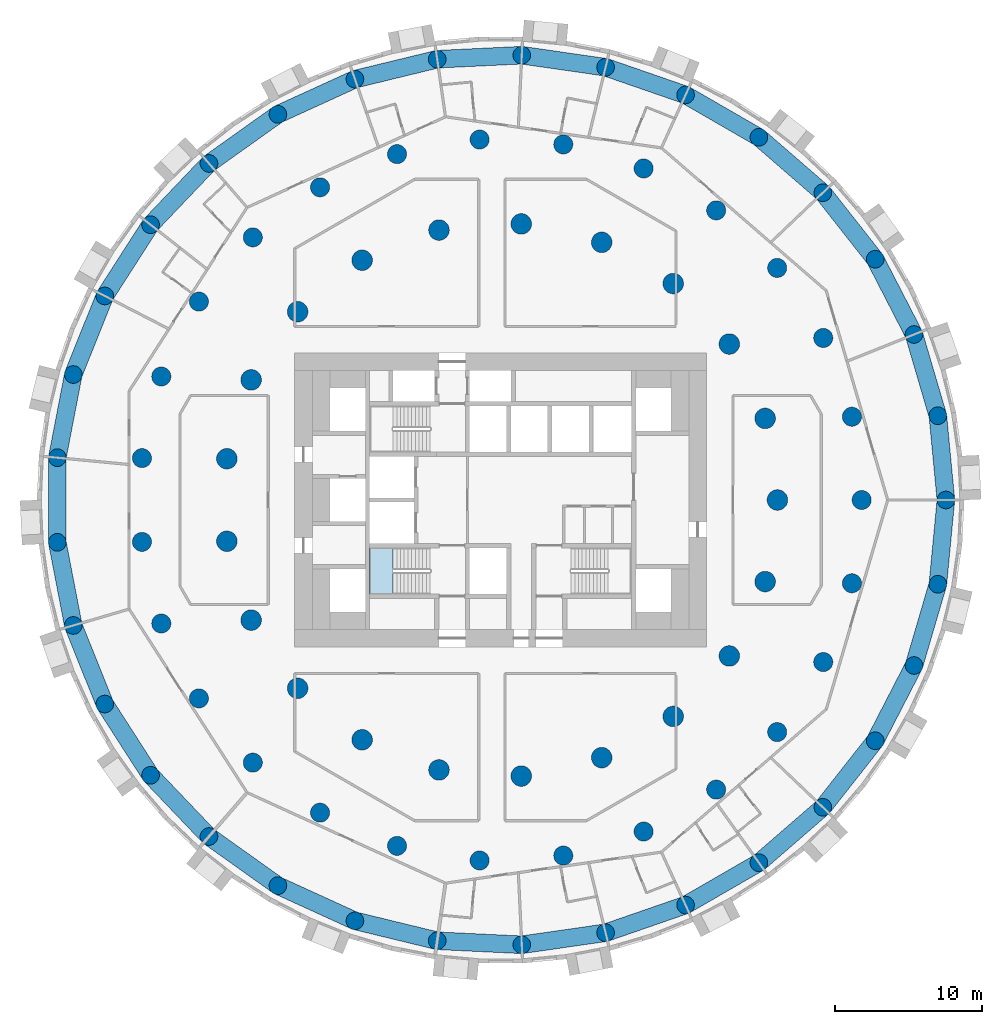
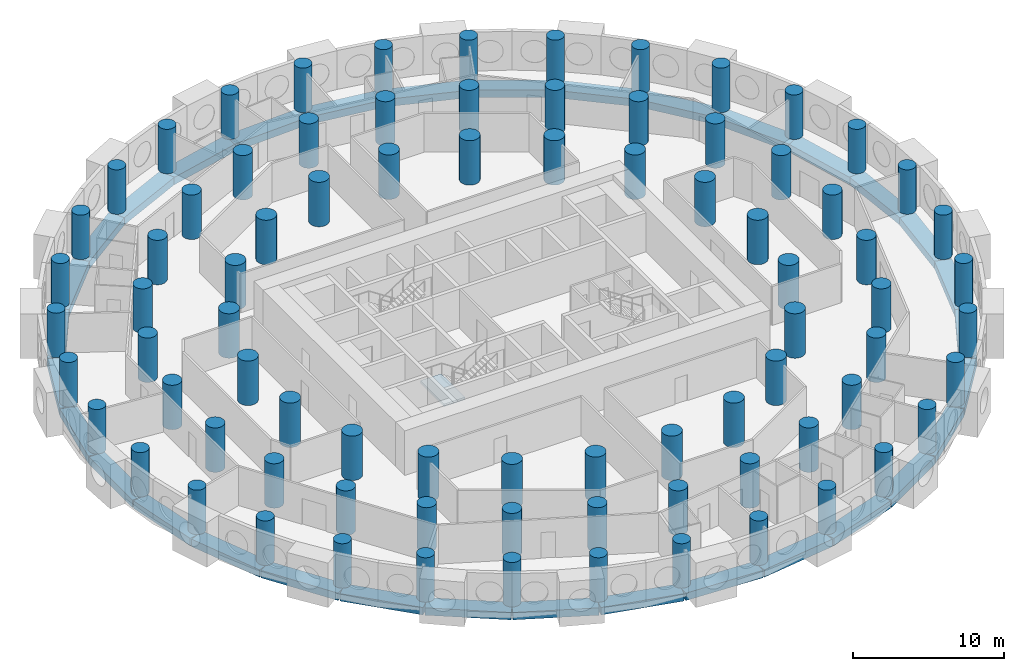
# One storey, part 1 of 11: 81 columns, 33 beams, 1 slab, 1 element without a shape of its own.
"""IFC4 building model written with IfcOpenShell, lengths in metres."""

from ifc_helpers import new_model, si_unit, direction, frame, origin, origin_2d, place, context, subcontext, project, spatial, polyline, rectangle, circle, outline, extrude, material, layer, layer_set, material_profile, profile_set, type_object, element, aggregate, save


model = new_model("IFC4")

# Units and contexts
model_context = context("Model", 3, precision=1e-05, world=origin(), true_north=direction((0.0, 1.0)))
body_context = subcontext(model_context, "Body", "Model", "MODEL_VIEW")
ifc_project = project(units=[si_unit("LENGTHUNIT", "METRE"), si_unit("AREAUNIT", "SQUARE_METRE"), si_unit("VOLUMEUNIT", "CUBIC_METRE"), si_unit("PLANEANGLEUNIT", "RADIAN"), si_unit("MASSUNIT", "GRAM", prefix="KILO")], contexts=[model_context])

# Site, building, storey
site_placement = place(None, origin())
site = spatial("IfcSite", under=ifc_project, at=site_placement, CompositionType="ELEMENT")
building_placement = place(site_placement, origin())
building = spatial("IfcBuilding", under=site, at=building_placement, Name="Tracery Tower", CompositionType="ELEMENT")
storey_placement = place(building_placement, frame((0.0, 0.0, 93.0)))
storey = spatial("IfcBuildingStorey", under=building, at=storey_placement, Name="L23", CompositionType="ELEMENT", Elevation=93.0)

# Columns
ifc_material_1 = material(Name="Concrete C60/75", Category="concrete")
ifc_material_profile_1 = material_profile(ifc_material_1, circle(Radius=0.60009765625, at=origin_2d()), Name="RC D1200")
ifc_profile_set_1 = profile_set([ifc_material_profile_1], Name="Concrete C60/75")
column_type_1 = type_object("IfcColumnType", Name="Ring 0 column 1200", PredefinedType="COLUMN", material=ifc_profile_set_1)
for number, where, z_axis, x_axis, name in (
    (1, (30.274658203125, 0.0, 0.0), (0.0, 0.0, 1.0), (1.0, 0.0, 0.0), "Ring 0 column 00 at L23"),
    (2, (29.7275390625, 5.7294921875, 0.0), (0.0, 0.0, 1.0), (1.0, 0.0, 0.0), "Ring 0 column 01 at L23"),
    (3, (28.10595703125, 11.251953125, 0.0), (0.0, 0.0, 1.0), (1.0, 0.0, 0.0), "Ring 0 column 02 at L23"),
    (4, (25.468505859375, 16.36767578125, 0.0), (0.0, 0.0, 1.0), (1.0, 0.0, 0.0), "Ring 0 column 03 at L23"),
    (5, (21.910888671875, 20.891845703125, 0.0), (0.0, 0.0, 1.0), (1.0, 0.0, 0.0), "Ring 0 column 04 at L23"),
    (6, (17.56103515625, 24.660888671875, 0.0), (0.0, 0.0, 1.0), (1.0, 0.0, 0.0), "Ring 0 column 05 at L23"),
    (7, (12.576416015625, 27.538818359375, 0.0), (0.0, 0.0, 1.0), (1.0, 0.0, 0.0), "Ring 0 column 06 at L23"),
    (8, (7.137451171875, 29.421142578125, 0.0), (0.0, 0.0, 1.0), (1.0, 0.0, 0.0), "Ring 0 column 07 at L23"),
    (9, (1.4404296875, 30.240234375, 0.0), (0.0, 0.0, 1.0), (1.0, 0.0, 0.0), "Ring 0 column 08 at L23"),
    (10, (-4.30859375, 29.96630859375, 0.0), (0.0, 0.0, 1.0), (1.0, 0.0, 0.0), "Ring 0 column 09 at L23"),
    (11, (-9.90185546875, 28.609619140625, 0.0), (0.0, 0.0, 1.0), (1.0, 0.0, 0.0), "Ring 0 column 10 at L23"),
    (12, (-15.13720703125, 26.218505859375, 0.0), (0.0, 0.0, 1.0), (1.0, 0.0, 0.0), "Ring 0 column 11 at L23"),
    (13, (-19.82568359375, 22.8798828125, 0.0), (0.0, 0.0, 1.0), (1.0, 0.0, 0.0), "Ring 0 column 12 at L23"),
    (14, (-23.79736328125, 18.714599609375, 0.0), (0.0, 0.0, 1.0), (1.0, 0.0, 0.0), "Ring 0 column 13 at L23"),
    (15, (-26.9091796875, 13.87255859375, 0.0), (0.0, 0.0, 1.0), (1.0, 0.0, 0.0), "Ring 0 column 14 at L23"),
    (16, (-29.04833984375, 8.529296875, 0.0), (0.0, 0.0, 1.0), (1.0, 0.0, 0.0), "Ring 0 column 15 at L23"),
    (17, (-30.137451171875, 2.877685546875, 0.0), (0.0, 0.0, 1.0), (1.0, 0.0, 0.0), "Ring 0 column 16 at L23"),
    (18, (-30.137451171875, -2.877685546875, 0.0), (0.0, 0.0, 1.0), (1.0, 0.0, 0.0), "Ring 0 column 17 at L23"),
    (19, (-29.04833984375, -8.529296875, 0.0), (0.0, 0.0, 1.0), (1.0, 0.0, 0.0), "Ring 0 column 18 at L23"),
    (20, (-26.9091796875, -13.87255859375, 0.0), (0.0, 0.0, 1.0), (1.0, 0.0, 0.0), "Ring 0 column 19 at L23"),
    (21, (-23.79736328125, -18.714599609375, 0.0), (0.0, 0.0, 1.0), (1.0, 0.0, 0.0), "Ring 0 column 20 at L23"),
    (22, (-19.82568359375, -22.8798828125, 0.0), (0.0, 0.0, 1.0), (1.0, 0.0, 0.0), "Ring 0 column 21 at L23"),
    (23, (-15.13720703125, -26.218505859375, 0.0), (0.0, 0.0, 1.0), (1.0, 0.0, 0.0), "Ring 0 column 22 at L23"),
    (24, (-9.90185546875, -28.609619140625, 0.0), (0.0, 0.0, 1.0), (1.0, 0.0, 0.0), "Ring 0 column 23 at L23"),
    (25, (-4.30859375, -29.96630859375, 0.0), (0.0, 0.0, 1.0), (1.0, 0.0, 0.0), "Ring 0 column 24 at L23"),
    (26, (1.4404296875, -30.240234375, 0.0), (0.0, 0.0, 1.0), (1.0, 0.0, 0.0), "Ring 0 column 25 at L23"),
    (27, (7.137451171875, -29.421142578125, 0.0), (0.0, 0.0, 1.0), (1.0, 0.0, 0.0), "Ring 0 column 26 at L23"),
    (28, (12.576416015625, -27.538818359375, 0.0), (0.0, 0.0, 1.0), (1.0, 0.0, 0.0), "Ring 0 column 27 at L23"),
    (29, (17.56103515625, -24.660888671875, 0.0), (0.0, 0.0, 1.0), (1.0, 0.0, 0.0), "Ring 0 column 28 at L23"),
    (30, (21.910888671875, -20.891845703125, 0.0), (0.0, 0.0, 1.0), (1.0, 0.0, 0.0), "Ring 0 column 29 at L23"),
    (31, (25.468505859375, -16.36767578125, 0.0), (0.0, 0.0, 1.0), (1.0, 0.0, 0.0), "Ring 0 column 30 at L23"),
    (32, (28.10595703125, -11.251953125, 0.0), (0.0, 0.0, 1.0), (1.0, 0.0, 0.0), "Ring 0 column 31 at L23"),
    (33, (29.7275390625, -5.7294921875, 0.0), (0.0, 0.0, 1.0), (1.0, 0.0, 0.0), "Ring 0 column 32 at L23"),
):
    element("IfcColumn", number, at=place(storey_placement, frame(where, z_axis=z_axis, x_axis=x_axis)), inside=storey, type_object=column_type_1, Name=name, PredefinedType="COLUMN", context=body_context, shape_type="SweptSolid", body=[
        extrude(circle(Radius=0.60009765625, at=origin_2d()), origin(), (0.0, 0.0, 1.0), 3.60009765625),
    ])
ifc_material_2 = material(Name="Concrete C60/75", Category="concrete")
ifc_material_profile_2 = material_profile(ifc_material_2, circle(Radius=0.64990234375, at=origin_2d()), Name="RC D1300")
ifc_profile_set_2 = profile_set([ifc_material_profile_2], Name="Concrete C60/75")
column_type_2 = type_object("IfcColumnType", Name="Ring 1 column 1300", PredefinedType="COLUMN", material=ifc_profile_set_2)
for number, where, z_axis, x_axis, name in (
    (34, (24.547607421875, 0.0, 0.0), (0.0, 0.0, 1.0), (1.0, 0.0, 0.0), "Ring 1 column 00 at L23"),
    (35, (23.885986328125, 5.6611328125, 0.0), (0.0, 0.0, 1.0), (1.0, 0.0, 0.0), "Ring 1 column 01 at L23"),
    (36, (21.9365234375, 11.01708984375, 0.0), (0.0, 0.0, 1.0), (1.0, 0.0, 0.0), "Ring 1 column 02 at L23"),
    (37, (18.8046875, 15.779052734375, 0.0), (0.0, 0.0, 1.0), (1.0, 0.0, 0.0), "Ring 1 column 03 at L23"),
    (38, (14.658935546875, 19.690185546875, 0.0), (0.0, 0.0, 1.0), (1.0, 0.0, 0.0), "Ring 1 column 04 at L23"),
    (39, (9.722900390625, 22.5400390625, 0.0), (0.0, 0.0, 1.0), (1.0, 0.0, 0.0), "Ring 1 column 05 at L23"),
    (40, (4.2626953125, 24.1748046875, 0.0), (0.0, 0.0, 1.0), (1.0, 0.0, 0.0), "Ring 1 column 06 at L23"),
    (41, (-1.42724609375, 24.506103515625, 0.0), (0.0, 0.0, 1.0), (1.0, 0.0, 0.0), "Ring 1 column 07 at L23"),
    (42, (-7.040283203125, 23.516357421875, 0.0), (0.0, 0.0, 1.0), (1.0, 0.0, 0.0), "Ring 1 column 08 at L23"),
    (43, (-12.273681640625, 21.2587890625, 0.0), (0.0, 0.0, 1.0), (1.0, 0.0, 0.0), "Ring 1 column 09 at L23"),
    (44, (-16.845703125, 17.855224609375, 0.0), (0.0, 0.0, 1.0), (1.0, 0.0, 0.0), "Ring 1 column 10 at L23"),
    (45, (-20.50927734375, 13.4892578125, 0.0), (0.0, 0.0, 1.0), (1.0, 0.0, 0.0), "Ring 1 column 11 at L23"),
    (46, (-23.0673828125, 8.395751953125, 0.0), (0.0, 0.0, 1.0), (1.0, 0.0, 0.0), "Ring 1 column 12 at L23"),
    (47, (-24.381591796875, 2.849853515625, 0.0), (0.0, 0.0, 1.0), (1.0, 0.0, 0.0), "Ring 1 column 13 at L23"),
    (48, (-24.381591796875, -2.849853515625, 0.0), (0.0, 0.0, 1.0), (1.0, 0.0, 0.0), "Ring 1 column 14 at L23"),
    (49, (-23.0673828125, -8.395751953125, 0.0), (0.0, 0.0, 1.0), (1.0, 0.0, 0.0), "Ring 1 column 15 at L23"),
    (50, (-20.50927734375, -13.4892578125, 0.0), (0.0, 0.0, 1.0), (1.0, 0.0, 0.0), "Ring 1 column 16 at L23"),
    (51, (-16.845703125, -17.85546875, 0.0), (0.0, 0.0, 1.0), (1.0, 0.0, 0.0), "Ring 1 column 17 at L23"),
    (52, (-12.27392578125, -21.2587890625, 0.0), (0.0, 0.0, 1.0), (1.0, 0.0, 0.0), "Ring 1 column 18 at L23"),
    (53, (-7.040283203125, -23.516357421875, 0.0), (0.0, 0.0, 1.0), (1.0, 0.0, 0.0), "Ring 1 column 19 at L23"),
    (54, (-1.42724609375, -24.506103515625, 0.0), (0.0, 0.0, 1.0), (1.0, 0.0, 0.0), "Ring 1 column 20 at L23"),
    (55, (4.2626953125, -24.1748046875, 0.0), (0.0, 0.0, 1.0), (1.0, 0.0, 0.0), "Ring 1 column 21 at L23"),
    (56, (9.722900390625, -22.5400390625, 0.0), (0.0, 0.0, 1.0), (1.0, 0.0, 0.0), "Ring 1 column 22 at L23"),
    (57, (14.658935546875, -19.690185546875, 0.0), (0.0, 0.0, 1.0), (1.0, 0.0, 0.0), "Ring 1 column 23 at L23"),
    (58, (18.8046875, -15.779052734375, 0.0), (0.0, 0.0, 1.0), (1.0, 0.0, 0.0), "Ring 1 column 24 at L23"),
    (59, (21.9365234375, -11.01708984375, 0.0), (0.0, 0.0, 1.0), (1.0, 0.0, 0.0), "Ring 1 column 25 at L23"),
    (60, (23.885986328125, -5.6611328125, 0.0), (0.0, 0.0, 1.0), (1.0, 0.0, 0.0), "Ring 1 column 26 at L23"),
):
    element("IfcColumn", number, at=place(storey_placement, frame(where, z_axis=z_axis, x_axis=x_axis)), inside=storey, type_object=column_type_2, Name=name, PredefinedType="COLUMN", context=body_context, shape_type="SweptSolid", body=[
        extrude(circle(Radius=0.64990234375, at=origin_2d()), origin(), (0.0, 0.0, 1.0), 3.60009765625),
    ])
ifc_material_3 = material(Name="Concrete C60/75", Category="concrete")
ifc_material_profile_3 = material_profile(ifc_material_3, circle(Radius=0.699951171875, at=origin_2d()), Name="RC D1400")
ifc_profile_set_3 = profile_set([ifc_material_profile_3], Name="Concrete C60/75")
column_type_3 = type_object("IfcColumnType", Name="Ring 2 column 1400", PredefinedType="COLUMN", material=ifc_profile_set_3)
for number, where, z_axis, x_axis, name in (
    (61, (18.822265625, 0.0, 0.0), (0.0, 0.0, 1.0), (1.0, 0.0, 0.0), "Ring 2 column 00 at L23"),
    (62, (17.986083984375, 5.5478515625, 0.0), (0.0, 0.0, 1.0), (1.0, 0.0, 0.0), "Ring 2 column 01 at L23"),
    (63, (15.551513671875, 10.602783203125, 0.0), (0.0, 0.0, 1.0), (1.0, 0.0, 0.0), "Ring 2 column 02 at L23"),
    (64, (11.7353515625, 14.7158203125, 0.0), (0.0, 0.0, 1.0), (1.0, 0.0, 0.0), "Ring 2 column 03 at L23"),
    (65, (6.87646484375, 17.52099609375, 0.0), (0.0, 0.0, 1.0), (1.0, 0.0, 0.0), "Ring 2 column 04 at L23"),
    (66, (1.406494140625, 18.76953125, 0.0), (0.0, 0.0, 1.0), (1.0, 0.0, 0.0), "Ring 2 column 05 at L23"),
    (67, (-4.188232421875, 18.350341796875, 0.0), (0.0, 0.0, 1.0), (1.0, 0.0, 0.0), "Ring 2 column 06 at L23"),
    (68, (-9.4111328125, 16.300537109375, 0.0), (0.0, 0.0, 1.0), (1.0, 0.0, 0.0), "Ring 2 column 07 at L23"),
    (69, (-13.797607421875, 12.802490234375, 0.0), (0.0, 0.0, 1.0), (1.0, 0.0, 0.0), "Ring 2 column 08 at L23"),
    (70, (-16.958251953125, 8.16650390625, 0.0), (0.0, 0.0, 1.0), (1.0, 0.0, 0.0), "Ring 2 column 09 at L23"),
    (71, (-18.612060546875, 2.805419921875, 0.0), (0.0, 0.0, 1.0), (1.0, 0.0, 0.0), "Ring 2 column 10 at L23"),
    (72, (-18.612060546875, -2.805419921875, 0.0), (0.0, 0.0, 1.0), (1.0, 0.0, 0.0), "Ring 2 column 11 at L23"),
    (73, (-16.958251953125, -8.166748046875, 0.0), (0.0, 0.0, 1.0), (1.0, 0.0, 0.0), "Ring 2 column 12 at L23"),
    (74, (-13.797607421875, -12.80224609375, 0.0), (0.0, 0.0, 1.0), (1.0, 0.0, 0.0), "Ring 2 column 13 at L23"),
    (75, (-9.4111328125, -16.300537109375, 0.0), (0.0, 0.0, 1.0), (1.0, 0.0, 0.0), "Ring 2 column 14 at L23"),
    (76, (-4.188232421875, -18.350341796875, 0.0), (0.0, 0.0, 1.0), (1.0, 0.0, 0.0), "Ring 2 column 15 at L23"),
    (77, (1.406494140625, -18.76953125, 0.0), (0.0, 0.0, 1.0), (1.0, 0.0, 0.0), "Ring 2 column 16 at L23"),
    (78, (6.87646484375, -17.52099609375, 0.0), (0.0, 0.0, 1.0), (1.0, 0.0, 0.0), "Ring 2 column 17 at L23"),
    (79, (11.7353515625, -14.7158203125, 0.0), (0.0, 0.0, 1.0), (1.0, 0.0, 0.0), "Ring 2 column 18 at L23"),
    (80, (15.551513671875, -10.602783203125, 0.0), (0.0, 0.0, 1.0), (1.0, 0.0, 0.0), "Ring 2 column 19 at L23"),
    (81, (17.986083984375, -5.5478515625, 0.0), (0.0, 0.0, 1.0), (1.0, 0.0, 0.0), "Ring 2 column 20 at L23"),
):
    element("IfcColumn", number, at=place(storey_placement, frame(where, z_axis=z_axis, x_axis=x_axis)), inside=storey, type_object=column_type_3, Name=name, PredefinedType="COLUMN", context=body_context, shape_type="SweptSolid", body=[
        extrude(circle(Radius=0.699951171875, at=origin_2d()), origin(), (0.0, 0.0, 1.0), 3.60009765625),
    ])

# Beams
ifc_material_4 = material(Name="Concrete C60/75", Category="concrete")
ifc_material_profile_4 = material_profile(ifc_material_4, rectangle(XDim=1.199951171875, YDim=0.60009765625, at=origin_2d()), Name="RC 1200x600")
ifc_profile_set_4 = profile_set([ifc_material_profile_4], Name="Concrete C60/75")
beam_type = type_object("IfcBeamType", Name="Perimeter band beam 1200x600", PredefinedType="BEAM", material=ifc_profile_set_4)
for number, where, z_axis, x_axis, name in (
    (82, (30.274658203125, 0.0, -0.75), (-0.095059309677, 0.995471610667, 0.0), (-0.995471610667, -0.095059309677, 0.0), "Perimeter beam 0.00 under L23"),
    (83, (29.7275390625, 5.7294921875, -0.75), (-0.281739145896, 0.959491038869, 0.0), (-0.959491038869, -0.281739145896, 0.0), "Perimeter beam 0.01 under L23"),
    (84, (28.10595703125, 11.251953125, -0.75), (-0.458242010493, 0.88882746347, 0.0), (-0.88882746347, -0.458242010493, 0.0), "Perimeter beam 0.02 under L23"),
):
    element("IfcBeam", number, at=place(storey_placement, frame(where, z_axis=z_axis, x_axis=x_axis)), inside=storey, type_object=beam_type, Name=name, PredefinedType="BEAM", context=body_context, shape_type="SweptSolid", body=[
        extrude(rectangle(XDim=1.199951171875, YDim=0.60009765625, at=origin_2d()), origin(), (0.0, 0.0, 1.0), 5.755615234375),
    ])
beam_1_placement = place(storey_placement, frame((25.468505859375, 16.36767578125, -0.75), z_axis=(-0.618134362257, 0.786072458618, 0.0), x_axis=(-0.786072458618, -0.618134362257, 0.0)))
element("IfcBeam", 85, at=beam_1_placement, inside=storey, type_object=beam_type, Name="Perimeter beam 0.03 under L23", PredefinedType="BEAM", context=body_context, shape_type="SweptSolid", body=[
    extrude(rectangle(XDim=1.199951171875, YDim=0.60009765625, at=origin_2d()), origin(), (0.0, 0.0, 1.0), 5.75537109375),
])
beam_2_placement = place(storey_placement, frame((21.910888671875, 20.891845703125, -0.75), z_axis=(-0.755760456715, 0.65484817482, 0.0), x_axis=(-0.65484817482, -0.755760456715, 0.0)))
element("IfcBeam", 86, at=beam_2_placement, inside=storey, type_object=beam_type, Name="Perimeter beam 0.04 under L23", PredefinedType="BEAM", context=body_context, shape_type="SweptSolid", body=[
    extrude(rectangle(XDim=1.199951171875, YDim=0.60009765625, at=origin_2d()), origin(), (0.0, 0.0, 1.0), 5.755615234375),
])
beam_3_placement = place(storey_placement, frame((17.56103515625, 24.660888671875, -0.75), z_axis=(-0.866021003874, 0.50000762079, 0.0), x_axis=(-0.50000762079, -0.866021003874, 0.0)))
element("IfcBeam", 87, at=beam_3_placement, inside=storey, type_object=beam_type, Name="Perimeter beam 0.05 under L23", PredefinedType="BEAM", context=body_context, shape_type="SweptSolid", body=[
    extrude(rectangle(XDim=1.199951171875, YDim=0.60009765625, at=origin_2d()), origin(), (0.0, 0.0, 1.0), 5.755859375),
])
beam_4_placement = place(storey_placement, frame((12.576416015625, 27.538818359375, -0.75), z_axis=(-0.945007252869, 0.327049372458, 0.0), x_axis=(-0.327049372458, -0.945007252869, 0.0)))
element("IfcBeam", 88, at=beam_4_placement, inside=storey, type_object=beam_type, Name="Perimeter beam 0.06 under L23", PredefinedType="BEAM", context=body_context, shape_type="SweptSolid", body=[
    extrude(rectangle(XDim=1.199951171875, YDim=0.60009765625, at=origin_2d()), origin(), (0.0, 0.0, 1.0), 5.75537109375),
])
for number, where, z_axis, x_axis, name in (
    (89, (7.137451171875, 29.421142578125, -0.75), (-0.989821839174, 0.142312075013, 0.0), (-0.142312075013, -0.989821839174, 0.0), "Perimeter beam 0.07 under L23"),
    (90, (1.4404296875, 30.240234375, -0.75), (-0.998866793759, -0.047593364303, 0.0), (0.047593364303, -0.998866793759, 0.0), "Perimeter beam 0.08 under L23"),
):
    element("IfcBeam", number, at=place(storey_placement, frame(where, z_axis=z_axis, x_axis=x_axis)), inside=storey, type_object=beam_type, Name=name, PredefinedType="BEAM", context=body_context, shape_type="SweptSolid", body=[
        extrude(rectangle(XDim=1.199951171875, YDim=0.60009765625, at=origin_2d()), origin(), (0.0, 0.0, 1.0), 5.755615234375),
    ])
beam_5_placement = place(storey_placement, frame((-4.30859375, 29.96630859375, -0.75), z_axis=(-0.971820371509, -0.235722645328, 0.0), x_axis=(0.235722645328, -0.971820371509, 0.0)))
element("IfcBeam", 91, at=beam_5_placement, inside=storey, type_object=beam_type, Name="Perimeter beam 0.09 under L23", PredefinedType="BEAM", context=body_context, shape_type="SweptSolid", body=[
    extrude(rectangle(XDim=1.199951171875, YDim=0.60009765625, at=origin_2d()), origin(), (0.0, 0.0, 1.0), 5.75537109375),
])
for number, where, z_axis, x_axis, name in (
    (92, (-9.90185546875, 28.609619140625, -0.75), (-0.909618316865, -0.415444963411, 0.0), (0.415444963411, -0.909618316865, 0.0), "Perimeter beam 0.10 under L23"),
    (93, (-15.13720703125, 26.218505859375, -0.75), (-0.8145780864, -0.580053912285, 0.0), (0.580053912285, -0.8145780864, 0.0), "Perimeter beam 0.11 under L23"),
):
    element("IfcBeam", number, at=place(storey_placement, frame(where, z_axis=z_axis, x_axis=x_axis)), inside=storey, type_object=beam_type, Name=name, PredefinedType="BEAM", context=body_context, shape_type="SweptSolid", body=[
        extrude(rectangle(XDim=1.199951171875, YDim=0.60009765625, at=origin_2d()), origin(), (0.0, 0.0, 1.0), 5.755615234375),
    ])
beam_6_placement = place(storey_placement, frame((-19.82568359375, 22.8798828125, -0.75), z_axis=(-0.690087218267, -0.723726212863, 0.0), x_axis=(0.723726212863, -0.690087218267, 0.0)))
element("IfcBeam", 94, at=beam_6_placement, inside=storey, type_object=beam_type, Name="Perimeter beam 0.12 under L23", PredefinedType="BEAM", context=body_context, shape_type="SweptSolid", body=[
    extrude(rectangle(XDim=1.199951171875, YDim=0.60009765625, at=origin_2d()), origin(), (0.0, 0.0, 1.0), 5.75537109375),
])
beam_7_placement = place(storey_placement, frame((-23.79736328125, 18.714599609375, -0.75), z_axis=(-0.540643964602, -0.841251510274, 0.0), x_axis=(0.841251510274, -0.540643964602, 0.0)))
element("IfcBeam", 95, at=beam_7_placement, inside=storey, type_object=beam_type, Name="Perimeter beam 0.13 under L23", PredefinedType="BEAM", context=body_context, shape_type="SweptSolid", body=[
    extrude(rectangle(XDim=1.199951171875, YDim=0.60009765625, at=origin_2d()), origin(), (0.0, 0.0, 1.0), 5.755859375),
])
for number, where, z_axis, x_axis, name in (
    (96, (-26.9091796875, 13.87255859375, -0.75), (-0.371668572289, -0.928365484264, 0.0), (0.928365484264, -0.371668572289, 0.0), "Perimeter beam 0.14 under L23"),
    (97, (-29.04833984375, 8.529296875, -0.75), (-0.189226539295, -0.981933458451, 0.0), (0.981933458451, -0.189226539295, 0.0), "Perimeter beam 0.15 under L23"),
):
    element("IfcBeam", number, at=place(storey_placement, frame(where, z_axis=z_axis, x_axis=x_axis)), inside=storey, type_object=beam_type, Name=name, PredefinedType="BEAM", context=body_context, shape_type="SweptSolid", body=[
        extrude(rectangle(XDim=1.199951171875, YDim=0.60009765625, at=origin_2d()), origin(), (0.0, 0.0, 1.0), 5.755615234375),
    ])
beam_8_placement = place(storey_placement, frame((-30.137451171875, 2.877685546875, -0.75), z_axis=(0.0, -1.0, 0.0), x_axis=(1.0, 0.0, 0.0)))
element("IfcBeam", 98, at=beam_8_placement, inside=storey, type_object=beam_type, Name="Perimeter beam 0.16 under L23", PredefinedType="BEAM", context=body_context, shape_type="SweptSolid", body=[
    extrude(rectangle(XDim=1.199951171875, YDim=0.60009765625, at=origin_2d()), origin(), (0.0, 0.0, 1.0), 5.75537109375),
])
for number, where, z_axis, x_axis, name in (
    (99, (-30.137451171875, -2.877685546875, -0.75), (0.189226539295, -0.981933458451, 0.0), (0.981933458451, 0.189226539295, 0.0), "Perimeter beam 0.17 under L23"),
    (100, (-29.04833984375, -8.529296875, -0.75), (0.371668572289, -0.928365484264, 0.0), (0.928365484264, 0.371668572289, 0.0), "Perimeter beam 0.18 under L23"),
):
    element("IfcBeam", number, at=place(storey_placement, frame(where, z_axis=z_axis, x_axis=x_axis)), inside=storey, type_object=beam_type, Name=name, PredefinedType="BEAM", context=body_context, shape_type="SweptSolid", body=[
        extrude(rectangle(XDim=1.199951171875, YDim=0.60009765625, at=origin_2d()), origin(), (0.0, 0.0, 1.0), 5.755615234375),
    ])
beam_9_placement = place(storey_placement, frame((-26.9091796875, -13.87255859375, -0.75), z_axis=(0.540643964602, -0.841251510274, 0.0), x_axis=(0.841251510274, 0.540643964602, 0.0)))
element("IfcBeam", 101, at=beam_9_placement, inside=storey, type_object=beam_type, Name="Perimeter beam 0.19 under L23", PredefinedType="BEAM", context=body_context, shape_type="SweptSolid", body=[
    extrude(rectangle(XDim=1.199951171875, YDim=0.60009765625, at=origin_2d()), origin(), (0.0, 0.0, 1.0), 5.755859375),
])
beam_10_placement = place(storey_placement, frame((-23.79736328125, -18.714599609375, -0.75), z_axis=(0.690087218267, -0.723726212863, 0.0), x_axis=(0.723726212863, 0.690087218267, 0.0)))
element("IfcBeam", 102, at=beam_10_placement, inside=storey, type_object=beam_type, Name="Perimeter beam 0.20 under L23", PredefinedType="BEAM", context=body_context, shape_type="SweptSolid", body=[
    extrude(rectangle(XDim=1.199951171875, YDim=0.60009765625, at=origin_2d()), origin(), (0.0, 0.0, 1.0), 5.75537109375),
])
for number, where, z_axis, x_axis, name in (
    (103, (-19.82568359375, -22.8798828125, -0.75), (0.8145780864, -0.580053912285, 0.0), (0.580053912285, 0.8145780864, 0.0), "Perimeter beam 0.21 under L23"),
    (104, (-15.13720703125, -26.218505859375, -0.75), (0.909618316865, -0.415444963411, 0.0), (0.415444963411, 0.909618316865, 0.0), "Perimeter beam 0.22 under L23"),
):
    element("IfcBeam", number, at=place(storey_placement, frame(where, z_axis=z_axis, x_axis=x_axis)), inside=storey, type_object=beam_type, Name=name, PredefinedType="BEAM", context=body_context, shape_type="SweptSolid", body=[
        extrude(rectangle(XDim=1.199951171875, YDim=0.60009765625, at=origin_2d()), origin(), (0.0, 0.0, 1.0), 5.755615234375),
    ])
beam_11_placement = place(storey_placement, frame((-9.90185546875, -28.609619140625, -0.75), z_axis=(0.971820371509, -0.235722645328, 0.0), x_axis=(0.235722645328, 0.971820371509, 0.0)))
element("IfcBeam", 105, at=beam_11_placement, inside=storey, type_object=beam_type, Name="Perimeter beam 0.23 under L23", PredefinedType="BEAM", context=body_context, shape_type="SweptSolid", body=[
    extrude(rectangle(XDim=1.199951171875, YDim=0.60009765625, at=origin_2d()), origin(), (0.0, 0.0, 1.0), 5.75537109375),
])
for number, where, z_axis, x_axis, name in (
    (106, (-4.30859375, -29.96630859375, -0.75), (0.998866793759, -0.047593364303, 0.0), (0.047593364303, 0.998866793759, 0.0), "Perimeter beam 0.24 under L23"),
    (107, (1.4404296875, -30.240234375, -0.75), (0.989821839174, 0.142312075013, 0.0), (-0.142312075013, 0.989821839174, 0.0), "Perimeter beam 0.25 under L23"),
):
    element("IfcBeam", number, at=place(storey_placement, frame(where, z_axis=z_axis, x_axis=x_axis)), inside=storey, type_object=beam_type, Name=name, PredefinedType="BEAM", context=body_context, shape_type="SweptSolid", body=[
        extrude(rectangle(XDim=1.199951171875, YDim=0.60009765625, at=origin_2d()), origin(), (0.0, 0.0, 1.0), 5.755615234375),
    ])
beam_12_placement = place(storey_placement, frame((7.137451171875, -29.421142578125, -0.75), z_axis=(0.945007252869, 0.327049372458, 0.0), x_axis=(-0.327049372458, 0.945007252869, 0.0)))
element("IfcBeam", 108, at=beam_12_placement, inside=storey, type_object=beam_type, Name="Perimeter beam 0.26 under L23", PredefinedType="BEAM", context=body_context, shape_type="SweptSolid", body=[
    extrude(rectangle(XDim=1.199951171875, YDim=0.60009765625, at=origin_2d()), origin(), (0.0, 0.0, 1.0), 5.75537109375),
])
beam_13_placement = place(storey_placement, frame((12.576416015625, -27.538818359375, -0.75), z_axis=(0.866021003874, 0.50000762079, 0.0), x_axis=(-0.50000762079, 0.866021003874, 0.0)))
element("IfcBeam", 109, at=beam_13_placement, inside=storey, type_object=beam_type, Name="Perimeter beam 0.27 under L23", PredefinedType="BEAM", context=body_context, shape_type="SweptSolid", body=[
    extrude(rectangle(XDim=1.199951171875, YDim=0.60009765625, at=origin_2d()), origin(), (0.0, 0.0, 1.0), 5.755859375),
])
beam_14_placement = place(storey_placement, frame((17.56103515625, -24.660888671875, -0.75), z_axis=(0.755760456715, 0.65484817482, 0.0), x_axis=(-0.65484817482, 0.755760456715, 0.0)))
element("IfcBeam", 110, at=beam_14_placement, inside=storey, type_object=beam_type, Name="Perimeter beam 0.28 under L23", PredefinedType="BEAM", context=body_context, shape_type="SweptSolid", body=[
    extrude(rectangle(XDim=1.199951171875, YDim=0.60009765625, at=origin_2d()), origin(), (0.0, 0.0, 1.0), 5.755615234375),
])
beam_15_placement = place(storey_placement, frame((21.910888671875, -20.891845703125, -0.75), z_axis=(0.618134362257, 0.786072458618, 0.0), x_axis=(-0.786072458618, 0.618134362257, 0.0)))
element("IfcBeam", 111, at=beam_15_placement, inside=storey, type_object=beam_type, Name="Perimeter beam 0.29 under L23", PredefinedType="BEAM", context=body_context, shape_type="SweptSolid", body=[
    extrude(rectangle(XDim=1.199951171875, YDim=0.60009765625, at=origin_2d()), origin(), (0.0, 0.0, 1.0), 5.75537109375),
])
for number, where, z_axis, x_axis, name in (
    (112, (25.468505859375, -16.36767578125, -0.75), (0.458242010493, 0.88882746347, 0.0), (-0.88882746347, 0.458242010493, 0.0), "Perimeter beam 0.30 under L23"),
    (113, (28.10595703125, -11.251953125, -0.75), (0.281739145896, 0.959491038869, 0.0), (-0.959491038869, 0.281739145896, 0.0), "Perimeter beam 0.31 under L23"),
    (114, (29.7275390625, -5.7294921875, -0.75), (0.095059309677, 0.995471610667, 0.0), (-0.995471610667, 0.095059309677, 0.0), "Perimeter beam 0.32 under L23"),
):
    element("IfcBeam", number, at=place(storey_placement, frame(where, z_axis=z_axis, x_axis=x_axis)), inside=storey, type_object=beam_type, Name=name, PredefinedType="BEAM", context=body_context, shape_type="SweptSolid", body=[
        extrude(rectangle(XDim=1.199951171875, YDim=0.60009765625, at=origin_2d()), origin(), (0.0, 0.0, 1.0), 5.755615234375),
    ])

# Stair, slab
ifc_material_5 = material(Name="Concrete C32/40", Category="concrete")
stair_type = type_object("IfcStairType", Name="Core stair 22 risers", PredefinedType="HALF_TURN_STAIR", material=ifc_material_5)
stair_placement = place(storey_placement, origin())
stair = element("IfcStair", 115, at=stair_placement, inside=storey, type_object=stair_type, Name="L23 stair ST1", PredefinedType="HALF_TURN_STAIR")
ifc_material_6 = material(Name="Concrete C32/40", Category="concrete")
ifc_layer = layer(ifc_material_6, 0.199951171875)
ifc_layer_set = layer_set([ifc_layer], Name="Stair landing slab 200")
slab_type = type_object("IfcSlabType", Name="Stair landing slab 200", PredefinedType="LANDING", material=ifc_layer_set)
slab_placement = place(storey_placement, frame((0.0, 0.0, 1.60009765625)))
slab = element("IfcSlab", 116, at=slab_placement, type_object=slab_type, Name="ST1 landing 1", PredefinedType="LANDING", context=body_context, shape_type="SweptSolid", body=[
    extrude(outline(polyline([(-7.29931640625, -3.25), (-8.89990234375, -3.25), (-8.89990234375, -6.39990234375), (-7.29931640625, -6.39990234375), (-7.29931640625, -3.25)])), origin(), (0.0, 0.0, 1.0), 0.199951171875),
])
aggregate(stair, [slab])

save(model, "model.ifc")
